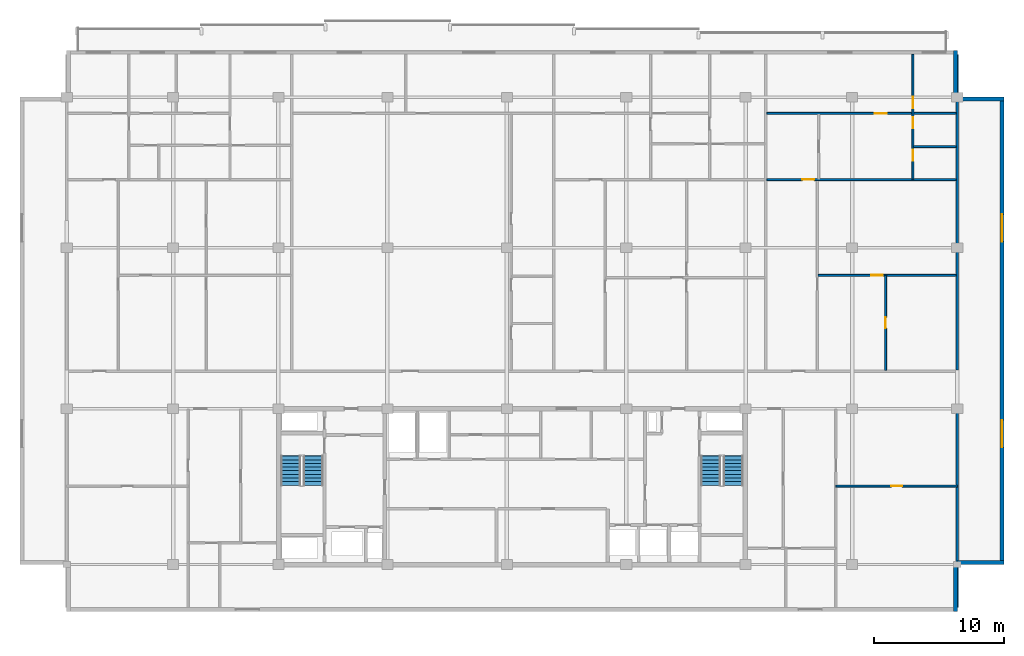
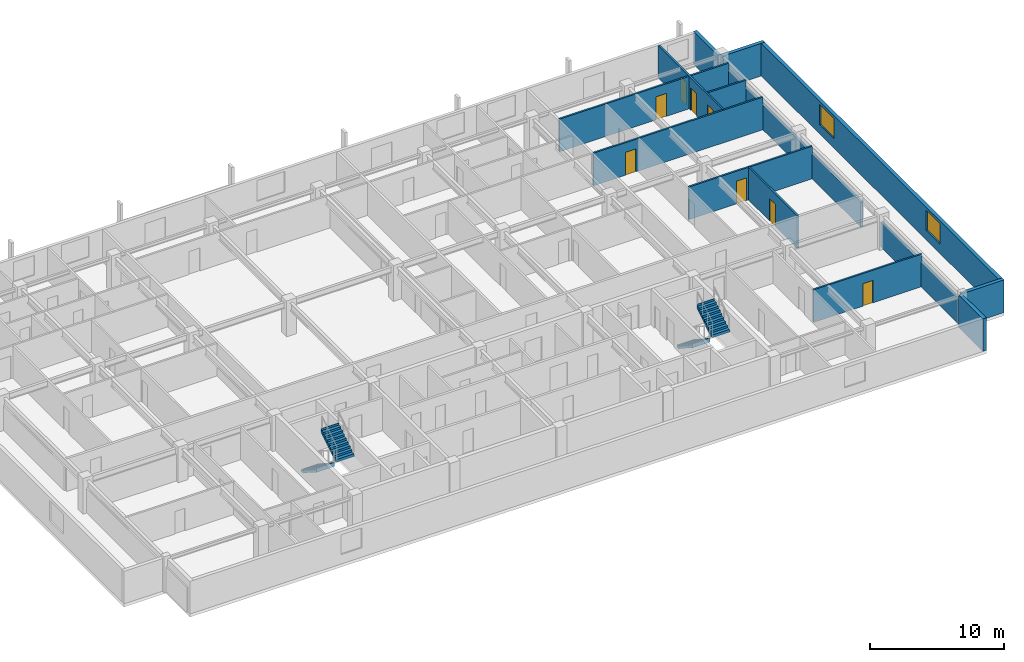
# One storey, part 8 of 10: 14 walls, 8 doors, 4 stair flights, 2 windows, 10 openings, 2 elements without a shape of their own.
"""IFC4 building model written with IfcOpenShell, lengths in metres."""

from ifc_helpers import new_model, si_unit, direction, frame, frame_2d, origin, place, context, subcontext, project, spatial, polyline, rectangle, outline, extrude, material, layer, layer_set, type_object, element, fill, aggregate, save


model = new_model("IFC4")

# Units and contexts
model_context = context("Model", 3, precision=1e-05, world=origin(), true_north=direction((0.0, 1.0)))
body_context = subcontext(model_context, "Body", "Model", "MODEL_VIEW")
ifc_project = project(units=[si_unit("LENGTHUNIT", "METRE"), si_unit("AREAUNIT", "SQUARE_METRE"), si_unit("VOLUMEUNIT", "CUBIC_METRE"), si_unit("PLANEANGLEUNIT", "RADIAN"), si_unit("MASSUNIT", "GRAM", prefix="KILO")], contexts=[model_context])

# Site, building, storey
site_placement = place(None, origin())
site = spatial("IfcSite", under=ifc_project, at=site_placement, CompositionType="ELEMENT")
building_placement = place(site_placement, origin())
building = spatial("IfcBuilding", under=site, at=building_placement, Name="Korimba Cascade Residences", CompositionType="ELEMENT")
storey_placement = place(building_placement, frame((0.0, 0.0, 214.10009765625)))
storey = spatial("IfcBuildingStorey", under=building, at=storey_placement, Name="L62", CompositionType="ELEMENT", Elevation=214.10009765625)

# Walls
ifc_material_1 = material(Name="Precast concrete C40/50", Category="concrete")
ifc_layer_1 = layer(ifc_material_1, 0.300048828125)
ifc_layer_set_1 = layer_set([ifc_layer_1], Name="Precast concrete C40/50")
wall_type_1 = type_object("IfcWallType", Name="EW-STONE-300", PredefinedType="STANDARD", material=ifc_layer_set_1)
wall_1_placement = place(storey_placement, frame((128.25, 51.60009765625, 0.0), z_axis=(0.0, 0.0, 1.0), x_axis=(0.0, 1.0, 0.0)))
element("IfcWall", 1, at=wall_1_placement, inside=storey, type_object=wall_type_1, Name="L62 T1 Perimeter Stone Wall E01", PredefinedType="STANDARD", context=body_context, shape_type="SweptSolid", body=[
    extrude(rectangle(XDim=3.599853515625, YDim=0.300048828125, at=frame_2d((1.7998046875, 0.0))), origin(), (0.0, 0.0, 1.0), 2.969970703125),
])
wall_2_placement = place(storey_placement, frame((128.39990234375, 55.35009765625, 0.0), z_axis=(0.0, 0.0, 1.0), x_axis=(1.0, 0.0, 0.0)))
element("IfcWall", 2, at=wall_2_placement, inside=storey, type_object=wall_type_1, Name="L62 T1 Perimeter Stone Wall E02", PredefinedType="STANDARD", context=body_context, shape_type="SweptSolid", body=[
    extrude(rectangle(XDim=3.60009765625, YDim=0.300048828125, at=frame_2d((1.800048828125, 0.0))), origin(), (0.0, 0.0, 1.0), 2.969970703125),
])

# Wall, openings, windows
wall_3_placement = place(storey_placement, frame((131.85009765625, 55.199951171875, 0.0), z_axis=(0.0, 0.0, 1.0), x_axis=(0.0, 1.0, 0.0)))
wall_3 = element("IfcWall", 3, at=wall_3_placement, inside=storey, type_object=wall_type_1, Name="L62 T1 Perimeter Stone Wall E03", PredefinedType="STANDARD", context=body_context, shape_type="SweptSolid", body=[
    extrude(rectangle(XDim=36.0, YDim=0.300048828125, at=frame_2d((18.0, 0.0))), origin(), (0.0, 0.0, 1.0), 2.969970703125),
])
opening_1_placement = place(wall_3_placement, frame((9.030029296875, 0.0, 0.85009765625)))
opening_1 = element("IfcOpeningElement", 4, at=opening_1_placement, cuts=wall_3, Name="Opening W-03", PredefinedType="OPENING", context=body_context, shape_type="SweptSolid", body=[
    extrude(rectangle(XDim=2.10009765625, YDim=1.85009765625, at=frame_2d((1.050048828125, 0.925048828125))), frame((0.0, 0.16015625, 0.0), z_axis=(0.0, -1.0, 0.0), x_axis=(1.0, 0.0, 0.0)), (0.0, 0.0, 1.0), 0.320068359375),
])
opening_2_placement = place(wall_3_placement, frame((24.8701171875, 0.0, 0.85009765625)))
opening_2 = element("IfcOpeningElement", 5, at=opening_2_placement, cuts=wall_3, Name="Opening W-03", PredefinedType="OPENING", context=body_context, shape_type="SweptSolid", body=[
    extrude(rectangle(XDim=2.10009765625, YDim=1.85009765625, at=frame_2d((1.050048828125, 0.925048828125))), frame((0.0, 0.16015625, 0.0), z_axis=(0.0, -1.0, 0.0), x_axis=(1.0, 0.0, 0.0)), (0.0, 0.0, 1.0), 0.320068359375),
])
ifc_material_2 = material(Name="Double-Glazed Aluminium Window", Category="aluminium")
window_type = type_object("IfcWindowType", Name="WIN-CRN-2100", PartitioningType="DOUBLE_PANEL_HORIZONTAL", PredefinedType="WINDOW", material=ifc_material_2)
window_1_placement = place(opening_1_placement, origin())
window_1 = element("IfcWindow", 6, at=window_1_placement, inside=storey, type_object=window_type, Name="L62 T1 End View Window 3.1", OverallHeight=1.85009765625, OverallWidth=2.10009765625, PartitioningType="DOUBLE_PANEL_HORIZONTAL", PredefinedType="WINDOW", context=body_context, shape_type="SweptSolid", body=[
    extrude(rectangle(XDim=2.10009765625, YDim=1.85009765625, at=frame_2d((1.050048828125, 0.925048828125))), frame((0.0, 0.030029296875, 0.0), z_axis=(0.0, -1.0, 0.0), x_axis=(1.0, 0.0, 0.0)), (0.0, 0.0, 1.0), 0.06005859375),
])
fill(opening_1, window_1)
window_2_placement = place(opening_2_placement, origin())
window_2 = element("IfcWindow", 7, at=window_2_placement, inside=storey, type_object=window_type, Name="L62 T1 End View Window 3.2", OverallHeight=1.85009765625, OverallWidth=2.10009765625, PartitioningType="DOUBLE_PANEL_HORIZONTAL", PredefinedType="WINDOW", context=body_context, shape_type="SweptSolid", body=[
    extrude(rectangle(XDim=2.10009765625, YDim=1.85009765625, at=frame_2d((1.050048828125, 0.925048828125))), frame((0.0, 0.030029296875, 0.0), z_axis=(0.0, -1.0, 0.0), x_axis=(1.0, 0.0, 0.0)), (0.0, 0.0, 1.0), 0.06005859375),
])
fill(opening_2, window_2)

# Walls
for number, where, z_axis, x_axis, name in (
    (8, (132.0, 91.050048828125, 0.0), (0.0, 0.0, 1.0), (-1.0, 0.0, 0.0), "L62 T1 Perimeter Stone Wall E04"),
    (9, (128.25, 91.199951171875, 0.0), (0.0, 0.0, 1.0), (0.0, 1.0, 0.0), "L62 T1 Perimeter Stone Wall E05"),
):
    element("IfcWall", number, at=place(storey_placement, frame(where, z_axis=z_axis, x_axis=x_axis)), inside=storey, type_object=wall_type_1, Name=name, PredefinedType="STANDARD", context=body_context, shape_type="SweptSolid", body=[
        extrude(rectangle(XDim=3.60009765625, YDim=0.300048828125, at=frame_2d((1.800048828125, 0.0))), origin(), (0.0, 0.0, 1.0), 2.969970703125),
    ])
ifc_layer_2 = layer(ifc_material_1, 0.199951171875)
ifc_layer_set_2 = layer_set([ifc_layer_2], Name="Precast concrete C40/50")
wall_type_2 = type_object("IfcWallType", Name="WAL-IT-200", PredefinedType="PARTITIONING", material=ifc_layer_set_2)
wall_4_placement = place(storey_placement, frame((128.39990234375, 51.89990234375, 0.0), z_axis=(0.0, 0.0, 1.0), x_axis=(0.0, 1.0, 0.0)))
element("IfcWall", 10, at=wall_4_placement, inside=storey, type_object=wall_type_2, Name="L62 Partition Wall WAL-L62-T1-FE-WR", PredefinedType="PARTITIONING", context=body_context, shape_type="SweptSolid", body=[
    extrude(rectangle(XDim=15.300048828125, YDim=0.199951171875, at=frame_2d((7.64990234375, 0.0))), origin(), (0.0, 0.0, 1.0), 2.277099609375),
])
wall_5_placement = place(storey_placement, frame((128.39990234375, 70.179931640625, 0.0), z_axis=(0.0, 0.0, 1.0), x_axis=(0.0, 1.0, 0.0)))
element("IfcWall", 11, at=wall_5_placement, inside=storey, type_object=wall_type_2, Name="L62 Partition Wall WAL-L62-T1-BNDWR", PredefinedType="PARTITIONING", context=body_context, shape_type="SweptSolid", body=[
    extrude(rectangle(XDim=24.320068359375, YDim=0.199951171875, at=frame_2d((12.16015625, 0.0))), origin(), (0.0, 0.0, 1.0), 2.277099609375),
])

# Wall, opening, door
ifc_material_3 = material(Name="Insulated Acoustic Stud Partition", Category="gypsum")
ifc_layer_3 = layer(ifc_material_3, 0.14990234375)
ifc_layer_set_3 = layer_set([ifc_layer_3], Name="Insulated Acoustic Stud Partition")
wall_type_3 = type_object("IfcWallType", Name="WAL-PART-150", PredefinedType="PARTITIONING", material=ifc_layer_set_3)
wall_6_placement = place(storey_placement, frame((119.050048828125, 61.25, 0.0), z_axis=(0.0, 0.0, 1.0), x_axis=(1.0, 0.0, 0.0)))
wall_6 = element("IfcWall", 12, at=wall_6_placement, inside=storey, type_object=wall_type_3, Name="L62 Partition Wall WAL-L62-T1-FE-STH", PredefinedType="PARTITIONING", context=body_context, shape_type="SweptSolid", body=[
    extrude(rectangle(XDim=9.349853515625, YDim=0.14990234375, at=frame_2d((4.6748046875, 0.0))), origin(), (0.0, 0.0, 1.0), 2.969970703125),
])
opening_3_placement = place(wall_6_placement, frame((4.2548828125, 0.0, 0.0)))
opening_3 = element("IfcOpeningElement", 13, at=opening_3_placement, cuts=wall_6, Name="Opening D-BT1", PredefinedType="OPENING", context=body_context, shape_type="SweptSolid", body=[
    extrude(rectangle(XDim=0.840087890625, YDim=2.0400390625, at=frame_2d((0.419921875, 1.02001953125))), frame((0.0, 0.0849609375, 0.0), z_axis=(0.0, -1.0, 0.0), x_axis=(1.0, 0.0, 0.0)), (0.0, 0.0, 1.0), 0.169921875),
])
ifc_material_4 = material(Name="Moisture-Resistant Bathroom Timber Door", Category="wood")
door_type_1 = type_object("IfcDoorType", Name="DR-INT-850", OperationType="NOTDEFINED", PredefinedType="DOOR", material=ifc_material_4)
door_1_placement = place(opening_3_placement, origin())
door_1 = element("IfcDoor", 14, at=door_1_placement, inside=storey, type_object=door_type_1, Name="L62-T1-FE Dressing Store Door", OperationType="SINGLE_SWING_RIGHT", OverallHeight=2.0400390625, OverallWidth=0.840087890625, PredefinedType="DOOR", context=body_context, shape_type="SweptSolid", body=[
    extrude(rectangle(XDim=0.840087890625, YDim=2.0400390625, at=frame_2d((0.419921875, 1.02001953125))), frame((0.0, 0.02490234375, 0.0), z_axis=(0.0, -1.0, 0.0), x_axis=(1.0, 0.0, 0.0)), (0.0, 0.0, 1.0), 0.050048828125),
])
fill(opening_3, door_1)

wall_7_placement = place(storey_placement, frame((122.883056640625, 70.159912109375, 0.0), z_axis=(0.0, 0.0, 1.0), x_axis=(0.0, 1.0, 0.0)))
wall_7 = element("IfcWall", 15, at=wall_7_placement, inside=storey, type_object=wall_type_3, Name="L62 Partition Wall WAL-L62-T1-U04-FMV", PredefinedType="PARTITIONING", context=body_context, shape_type="SweptSolid", body=[
    extrude(rectangle(XDim=7.3251953125, YDim=0.14990234375, at=frame_2d((3.66259765625, 0.0))), origin(), (0.0, 0.0, 1.0), 2.969970703125),
])
opening_4_placement = place(wall_7_placement, frame((3.242431640625, 0.0, 0.0)))
opening_4 = element("IfcOpeningElement", 16, at=opening_4_placement, cuts=wall_7, Name="Opening D-BT1", PredefinedType="OPENING", context=body_context, shape_type="SweptSolid", body=[
    extrude(rectangle(XDim=0.840087890625, YDim=2.0400390625, at=frame_2d((0.419921875, 1.02001953125))), frame((0.0, 0.0849609375, 0.0), z_axis=(0.0, -1.0, 0.0), x_axis=(1.0, 0.0, 0.0)), (0.0, 0.0, 1.0), 0.169921875),
])
door_2_placement = place(opening_4_placement, origin())
door_2 = element("IfcDoor", 17, at=door_2_placement, inside=storey, type_object=door_type_1, Name="L62-T1-U04 Wardrobe Door", OperationType="SINGLE_SWING_LEFT", OverallHeight=2.0400390625, OverallWidth=0.840087890625, PredefinedType="DOOR", context=body_context, shape_type="SweptSolid", body=[
    extrude(rectangle(XDim=0.840087890625, YDim=2.0400390625, at=frame_2d((0.419921875, 1.02001953125))), frame((0.0, 0.02490234375, 0.0), z_axis=(0.0, -1.0, 0.0), x_axis=(1.0, 0.0, 0.0)), (0.0, 0.0, 1.0), 0.050048828125),
])
fill(opening_4, door_2)

wall_8_placement = place(storey_placement, frame((117.686279296875, 77.485107421875, 0.0), z_axis=(0.0, 0.0, 1.0), x_axis=(1.0, 0.0, 0.0)))
wall_8 = element("IfcWall", 18, at=wall_8_placement, inside=storey, type_object=wall_type_3, Name="L62 Partition Wall WAL-L62-T1-U04-FMH", PredefinedType="PARTITIONING", context=body_context, shape_type="SweptSolid", body=[
    extrude(rectangle(XDim=10.6337890625, YDim=0.14990234375, at=frame_2d((5.31689453125, 0.0))), origin(), (0.0, 0.0, 1.0), 2.969970703125),
])
opening_5_placement = place(wall_8_placement, frame((4.096923828125, 0.0, 0.0)))
opening_5 = element("IfcOpeningElement", 19, at=opening_5_placement, cuts=wall_8, Name="Opening D-IN2", PredefinedType="OPENING", context=body_context, shape_type="SweptSolid", body=[
    extrude(rectangle(XDim=0.8798828125, YDim=2.06005859375, at=frame_2d((0.43994140625, 1.030029296875))), frame((0.0, 0.0849609375, 0.0), z_axis=(0.0, -1.0, 0.0), x_axis=(1.0, 0.0, 0.0)), (0.0, 0.0, 1.0), 0.169921875),
])
ifc_material_5 = material(Name="Acoustic Timber Bedroom Door", Category="wood")
door_type_2 = type_object("IfcDoorType", Name="DR-INT-880", OperationType="NOTDEFINED", PredefinedType="DOOR", material=ifc_material_5)
door_3_placement = place(opening_5_placement, origin())
door_3 = element("IfcDoor", 20, at=door_3_placement, inside=storey, type_object=door_type_2, Name="L62-T1-U04 Library Salon Door", OperationType="SINGLE_SWING_RIGHT", OverallHeight=2.06005859375, OverallWidth=0.8798828125, PredefinedType="DOOR", context=body_context, shape_type="SweptSolid", body=[
    extrude(rectangle(XDim=0.8798828125, YDim=2.06005859375, at=frame_2d((0.43994140625, 1.030029296875))), frame((0.0, 0.02490234375, 0.0), z_axis=(0.0, -1.0, 0.0), x_axis=(1.0, 0.0, 0.0)), (0.0, 0.0, 1.0), 0.050048828125),
])
fill(opening_5, door_3)

# Wall
wall_9_placement = place(storey_placement, frame((125.0400390625, 87.389892578125, 0.0), z_axis=(0.0, 0.0, 1.0), x_axis=(1.0, 0.0, 0.0)))
element("IfcWall", 21, at=wall_9_placement, inside=storey, type_object=wall_type_3, Name="L62 Partition Wall WAL-L62-T1-U04-BLDIV", PredefinedType="PARTITIONING", context=body_context, shape_type="SweptSolid", body=[
    extrude(rectangle(XDim=3.280029296875, YDim=0.14990234375, at=frame_2d((1.64013671875, 0.0))), origin(), (0.0, 0.0, 1.0), 2.969970703125),
])

# Wall, openings, doors
wall_10_placement = place(storey_placement, frame((124.97998046875, 84.889892578125, 0.0), z_axis=(0.0, 0.0, 1.0), x_axis=(0.0, 1.0, 0.0)))
wall_10 = element("IfcWall", 22, at=wall_10_placement, inside=storey, type_object=wall_type_3, Name="L62 Partition Wall WAL-L62-T1-U04-V1", PredefinedType="PARTITIONING", context=body_context, shape_type="SweptSolid", body=[
    extrude(rectangle(XDim=9.610107421875, YDim=0.14990234375, at=frame_2d((4.80517578125, 0.0))), origin(), (0.0, 0.0, 1.0), 2.969970703125),
])
opening_6_placement = place(wall_10_placement, frame((1.430419921875, 0.0, 0.0)))
opening_6 = element("IfcOpeningElement", 23, at=opening_6_placement, cuts=wall_10, Name="Opening D-BT1", PredefinedType="OPENING", context=body_context, shape_type="SweptSolid", body=[
    extrude(rectangle(XDim=0.840087890625, YDim=2.0400390625, at=frame_2d((0.419921875, 1.02001953125))), frame((0.0, 0.0849609375, 0.0), z_axis=(0.0, -1.0, 0.0), x_axis=(1.0, 0.0, 0.0)), (0.0, 0.0, 1.0), 0.169921875),
])
opening_7_placement = place(wall_10_placement, frame((3.919921875, 0.0, 0.0)))
opening_7 = element("IfcOpeningElement", 24, at=opening_7_placement, cuts=wall_10, Name="Opening D-BT1", PredefinedType="OPENING", context=body_context, shape_type="SweptSolid", body=[
    extrude(rectangle(XDim=0.840087890625, YDim=2.0400390625, at=frame_2d((0.419921875, 1.02001953125))), frame((0.0, 0.0849609375, 0.0), z_axis=(0.0, -1.0, 0.0), x_axis=(1.0, 0.0, 0.0)), (0.0, 0.0, 1.0), 0.169921875),
])
opening_8_placement = place(wall_10_placement, frame((5.47998046875, 0.0, 0.0)))
opening_8 = element("IfcOpeningElement", 25, at=opening_8_placement, cuts=wall_10, Name="Opening D-IN2", PredefinedType="OPENING", context=body_context, shape_type="SweptSolid", body=[
    extrude(rectangle(XDim=0.8798828125, YDim=2.06005859375, at=frame_2d((0.43994140625, 1.030029296875))), frame((0.0, 0.0849609375, 0.0), z_axis=(0.0, -1.0, 0.0), x_axis=(1.0, 0.0, 0.0)), (0.0, 0.0, 1.0), 0.169921875),
])
door_4_placement = place(opening_6_placement, origin())
door_4 = element("IfcDoor", 26, at=door_4_placement, inside=storey, type_object=door_type_1, Name="L62-T1-U04 Bathroom Door", OperationType="SINGLE_SWING_LEFT", OverallHeight=2.0400390625, OverallWidth=0.840087890625, PredefinedType="DOOR", context=body_context, shape_type="SweptSolid", body=[
    extrude(rectangle(XDim=0.840087890625, YDim=2.0400390625, at=frame_2d((0.419921875, 1.02001953125))), frame((0.0, 0.02490234375, 0.0), z_axis=(0.0, -1.0, 0.0), x_axis=(1.0, 0.0, 0.0)), (0.0, 0.0, 1.0), 0.050048828125),
])
fill(opening_6, door_4)
door_5_placement = place(opening_7_placement, origin())
door_5 = element("IfcDoor", 27, at=door_5_placement, inside=storey, type_object=door_type_1, Name="L62-T1-U04 Laundry Door", OperationType="SINGLE_SWING_RIGHT", OverallHeight=2.0400390625, OverallWidth=0.840087890625, PredefinedType="DOOR", context=body_context, shape_type="SweptSolid", body=[
    extrude(rectangle(XDim=0.840087890625, YDim=2.0400390625, at=frame_2d((0.419921875, 1.02001953125))), frame((0.0, 0.02490234375, 0.0), z_axis=(0.0, -1.0, 0.0), x_axis=(1.0, 0.0, 0.0)), (0.0, 0.0, 1.0), 0.050048828125),
])
fill(opening_7, door_5)
door_6_placement = place(opening_8_placement, origin())
door_6 = element("IfcDoor", 28, at=door_6_placement, inside=storey, type_object=door_type_2, Name="L62-T1-U04 Bedroom 1 Door", OperationType="SINGLE_SWING_LEFT", OverallHeight=2.06005859375, OverallWidth=0.8798828125, PredefinedType="DOOR", context=body_context, shape_type="SweptSolid", body=[
    extrude(rectangle(XDim=0.8798828125, YDim=2.06005859375, at=frame_2d((0.43994140625, 1.030029296875))), frame((0.0, 0.02490234375, 0.0), z_axis=(0.0, -1.0, 0.0), x_axis=(1.0, 0.0, 0.0)), (0.0, 0.0, 1.0), 0.050048828125),
])
fill(opening_8, door_6)

# Wall, opening, door
wall_11_placement = place(storey_placement, frame((113.736083984375, 84.85009765625, 0.0), z_axis=(0.0, 0.0, 1.0), x_axis=(1.0, 0.0, 0.0)))
wall_11 = element("IfcWall", 29, at=wall_11_placement, inside=storey, type_object=wall_type_3, Name="L62 Partition Wall WAL-L62-T1-U04-MW", PredefinedType="PARTITIONING", context=body_context, shape_type="SweptSolid", body=[
    extrude(rectangle(XDim=14.583984375, YDim=0.14990234375, at=frame_2d((7.2919921875, 0.0))), origin(), (0.0, 0.0, 1.0), 2.969970703125),
])
opening_9_placement = place(wall_11_placement, frame((2.719970703125, 0.0, 0.0)))
opening_9 = element("IfcOpeningElement", 30, at=opening_9_placement, cuts=wall_11, Name="Opening D-IN1", PredefinedType="OPENING", context=body_context, shape_type="SweptSolid", body=[
    extrude(rectangle(XDim=0.919921875, YDim=2.080078125, at=frame_2d((0.4599609375, 1.0400390625))), frame((0.0, 0.0849609375, 0.0), z_axis=(0.0, -1.0, 0.0), x_axis=(1.0, 0.0, 0.0)), (0.0, 0.0, 1.0), 0.169921875),
])
ifc_material_6 = material(Name="Acoustic Timber Living Door", Category="wood")
door_type_3 = type_object("IfcDoorType", Name="DR-INT-920", OperationType="NOTDEFINED", PredefinedType="DOOR", material=ifc_material_6)
door_7_placement = place(opening_9_placement, origin())
door_7 = element("IfcDoor", 31, at=door_7_placement, inside=storey, type_object=door_type_3, Name="L62-T1-U04 Kitchen Archway Door", OperationType="SINGLE_SWING_RIGHT", OverallHeight=2.080078125, OverallWidth=0.919921875, PredefinedType="DOOR", context=body_context, shape_type="SweptSolid", body=[
    extrude(rectangle(XDim=0.919921875, YDim=2.080078125, at=frame_2d((0.4599609375, 1.0400390625))), frame((0.0, 0.02490234375, 0.0), z_axis=(0.0, -1.0, 0.0), x_axis=(1.0, 0.0, 0.0)), (0.0, 0.0, 1.0), 0.050048828125),
])
fill(opening_9, door_7)

wall_12_placement = place(storey_placement, frame((113.736083984375, 89.949951171875, 0.0), z_axis=(0.0, 0.0, 1.0), x_axis=(1.0, 0.0, 0.0)))
wall_12 = element("IfcWall", 32, at=wall_12_placement, inside=storey, type_object=wall_type_3, Name="L62 Partition Wall WAL-L62-T1-U04-HZ", PredefinedType="PARTITIONING", context=body_context, shape_type="SweptSolid", body=[
    extrude(rectangle(XDim=14.583984375, YDim=0.14990234375, at=frame_2d((7.2919921875, 0.0))), origin(), (0.0, 0.0, 1.0), 2.969970703125),
])
opening_10_placement = place(wall_12_placement, frame((8.2890625, 0.0, 0.0)))
opening_10 = element("IfcOpeningElement", 33, at=opening_10_placement, cuts=wall_12, Name="Opening D-IN0", PredefinedType="OPENING", context=body_context, shape_type="SweptSolid", body=[
    extrude(rectangle(XDim=0.93994140625, YDim=2.10009765625, at=frame_2d((0.469970703125, 1.050048828125))), frame((0.0, 0.0849609375, 0.0), z_axis=(0.0, -1.0, 0.0), x_axis=(1.0, 0.0, 0.0)), (0.0, 0.0, 1.0), 0.169921875),
])
ifc_material_7 = material(Name="Acoustic Timber Living Archway Door", Category="wood")
door_type_4 = type_object("IfcDoorType", Name="DR-INT-950", OperationType="NOTDEFINED", PredefinedType="DOOR", material=ifc_material_7)
door_8_placement = place(opening_10_placement, origin())
door_8 = element("IfcDoor", 34, at=door_8_placement, inside=storey, type_object=door_type_4, Name="L62-T1-U04 Living Archway Door", OperationType="SINGLE_SWING_LEFT", OverallHeight=2.10009765625, OverallWidth=0.93994140625, PredefinedType="DOOR", context=body_context, shape_type="SweptSolid", body=[
    extrude(rectangle(XDim=0.93994140625, YDim=2.10009765625, at=frame_2d((0.469970703125, 1.050048828125))), frame((0.0, 0.02490234375, 0.0), z_axis=(0.0, -1.0, 0.0), x_axis=(1.0, 0.0, 0.0)), (0.0, 0.0, 1.0), 0.050048828125),
])
fill(opening_10, door_8)

# Stair, stair flights
ifc_material_8 = material(Name="Concrete C50/60", Category="concrete")
stair_type_1 = type_object("IfcStairType", Name="STR-W1-18R-1806", PredefinedType="HALF_TURN_STAIR", material=ifc_material_8)
stair_1_placement = place(storey_placement, origin())
stair_1 = element("IfcStair", 35, at=stair_1_placement, inside=storey, type_object=stair_type_1, Name="L62 Tower 1 West Fire Stair ST-W1", PredefinedType="HALF_TURN_STAIR")
stair_flight_type = type_object("IfcStairFlightType", Name="STF-DL-18R-1806-1520", PredefinedType="STRAIGHT", material=ifc_material_8)
stair_flight_1_placement = place(storey_placement, frame((77.06005859375, 63.550048828125, 0.0), z_axis=(0.0, 0.0, 1.0), x_axis=(0.0, -1.0, 0.0)))
stair_flight_1 = element("IfcStairFlight", 36, at=stair_flight_1_placement, type_object=stair_flight_type, Name="ST-W1 flight 1", NumberOfRisers=9, NumberOfTreads=8, PredefinedType="STRAIGHT", RiserHeight=0.180555556, TreadLength=0.28, context=body_context, shape_type="SweptSolid", body=[
    extrude(outline(polyline([(-0.0380859375, 0.0), (0.0, 0.1806640625), (0.280029296875, 0.1806640625), (0.280029296875, 0.361083984375), (0.56005859375, 0.361083984375), (0.56005859375, 0.541748046875), (0.840087890625, 0.541748046875), (0.840087890625, 0.72216796875), (1.1201171875, 0.72216796875), (1.1201171875, 0.90283203125), (1.39990234375, 0.90283203125), (1.39990234375, 1.083251953125), (1.679931640625, 1.083251953125), (1.679931640625, 1.263916015625), (1.9599609375, 1.263916015625), (1.9599609375, 1.4443359375), (2.239990234375, 1.4443359375), (2.239990234375, 1.625), (2.278076171875, 1.625), (2.278076171875, 1.26611328125), (0.276611328125, 0.0), (0.276611328125, -0.0380859375), (-0.0380859375, -0.0380859375), (-0.0380859375, 0.0)])), frame((0.0, 0.760009765625, 0.0), z_axis=(0.0, -1.0, 0.0), x_axis=(1.0, 0.0, 0.0)), (0.0, 0.0, 1.0), 1.52001953125),
])
stair_flight_2_placement = place(storey_placement, frame((78.780029296875, 61.31005859375, 1.625), z_axis=(0.0, 0.0, 1.0), x_axis=(0.0, 1.0, 0.0)))
stair_flight_2 = element("IfcStairFlight", 37, at=stair_flight_2_placement, type_object=stair_flight_type, Name="ST-W1 flight 2", NumberOfRisers=9, NumberOfTreads=8, PredefinedType="STRAIGHT", RiserHeight=0.180555556, TreadLength=0.28, context=body_context, shape_type="SweptSolid", body=[
    extrude(outline(polyline([(-0.0380859375, 0.0), (0.0, 0.1806640625), (0.280029296875, 0.1806640625), (0.280029296875, 0.361083984375), (0.56005859375, 0.361083984375), (0.56005859375, 0.541748046875), (0.840087890625, 0.541748046875), (0.840087890625, 0.72216796875), (1.1201171875, 0.72216796875), (1.1201171875, 0.90283203125), (1.39990234375, 0.90283203125), (1.39990234375, 1.083251953125), (1.679931640625, 1.083251953125), (1.679931640625, 1.263916015625), (1.9599609375, 1.263916015625), (1.9599609375, 1.4443359375), (2.239990234375, 1.4443359375), (2.239990234375, 1.625), (2.278076171875, 1.625), (2.278076171875, 1.26611328125), (0.276611328125, 0.0), (0.276611328125, -0.0380859375), (-0.0380859375, -0.0380859375), (-0.0380859375, 0.0)])), frame((0.0, 0.760009765625, 0.0), z_axis=(0.0, -1.0, 0.0), x_axis=(1.0, 0.0, 0.0)), (0.0, 0.0, 1.0), 1.52001953125),
])
aggregate(stair_1, [stair_flight_1, stair_flight_2])

stair_type_2 = type_object("IfcStairType", Name="STR-W2-18R-1806", PredefinedType="HALF_TURN_STAIR", material=ifc_material_8)
stair_2_placement = place(storey_placement, origin())
stair_2 = element("IfcStair", 38, at=stair_2_placement, inside=storey, type_object=stair_type_2, Name="L62 Tower 1 East Fire Stair ST-W2", PredefinedType="HALF_TURN_STAIR")
stair_flight_3_placement = place(storey_placement, frame((109.419921875, 63.550048828125, 0.0), z_axis=(0.0, 0.0, 1.0), x_axis=(0.0, -1.0, 0.0)))
stair_flight_3 = element("IfcStairFlight", 39, at=stair_flight_3_placement, type_object=stair_flight_type, Name="ST-W2 flight 1", NumberOfRisers=9, NumberOfTreads=8, PredefinedType="STRAIGHT", RiserHeight=0.180555556, TreadLength=0.28, context=body_context, shape_type="SweptSolid", body=[
    extrude(outline(polyline([(-0.0380859375, 0.0), (0.0, 0.1806640625), (0.280029296875, 0.1806640625), (0.280029296875, 0.361083984375), (0.56005859375, 0.361083984375), (0.56005859375, 0.541748046875), (0.840087890625, 0.541748046875), (0.840087890625, 0.72216796875), (1.1201171875, 0.72216796875), (1.1201171875, 0.90283203125), (1.39990234375, 0.90283203125), (1.39990234375, 1.083251953125), (1.679931640625, 1.083251953125), (1.679931640625, 1.263916015625), (1.9599609375, 1.263916015625), (1.9599609375, 1.4443359375), (2.239990234375, 1.4443359375), (2.239990234375, 1.625), (2.278076171875, 1.625), (2.278076171875, 1.26611328125), (0.276611328125, 0.0), (0.276611328125, -0.0380859375), (-0.0380859375, -0.0380859375), (-0.0380859375, 0.0)])), frame((0.0, 0.760009765625, 0.0), z_axis=(0.0, -1.0, 0.0), x_axis=(1.0, 0.0, 0.0)), (0.0, 0.0, 1.0), 1.52001953125),
])
stair_flight_4_placement = place(storey_placement, frame((111.139892578125, 61.31005859375, 1.625), z_axis=(0.0, 0.0, 1.0), x_axis=(0.0, 1.0, 0.0)))
stair_flight_4 = element("IfcStairFlight", 40, at=stair_flight_4_placement, type_object=stair_flight_type, Name="ST-W2 flight 2", NumberOfRisers=9, NumberOfTreads=8, PredefinedType="STRAIGHT", RiserHeight=0.180555556, TreadLength=0.28, context=body_context, shape_type="SweptSolid", body=[
    extrude(outline(polyline([(-0.0380859375, 0.0), (0.0, 0.1806640625), (0.280029296875, 0.1806640625), (0.280029296875, 0.361083984375), (0.56005859375, 0.361083984375), (0.56005859375, 0.541748046875), (0.840087890625, 0.541748046875), (0.840087890625, 0.72216796875), (1.1201171875, 0.72216796875), (1.1201171875, 0.90283203125), (1.39990234375, 0.90283203125), (1.39990234375, 1.083251953125), (1.679931640625, 1.083251953125), (1.679931640625, 1.263916015625), (1.9599609375, 1.263916015625), (1.9599609375, 1.4443359375), (2.239990234375, 1.4443359375), (2.239990234375, 1.625), (2.278076171875, 1.625), (2.278076171875, 1.26611328125), (0.276611328125, 0.0), (0.276611328125, -0.0380859375), (-0.0380859375, -0.0380859375), (-0.0380859375, 0.0)])), frame((0.0, 0.760009765625, 0.0), z_axis=(0.0, -1.0, 0.0), x_axis=(1.0, 0.0, 0.0)), (0.0, 0.0, 1.0), 1.52001953125),
])
aggregate(stair_2, [stair_flight_3, stair_flight_4])

save(model, "model.ifc")
